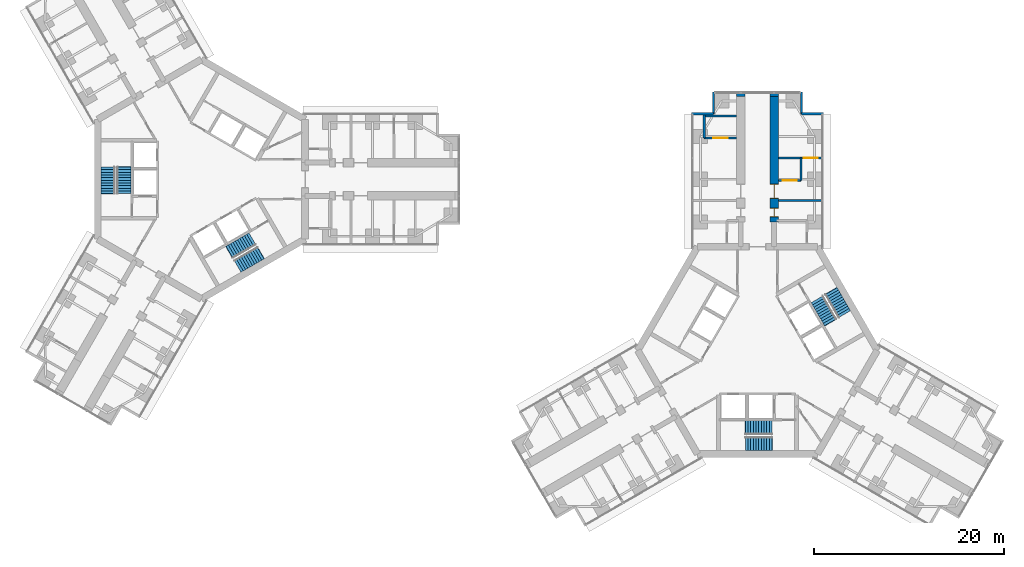
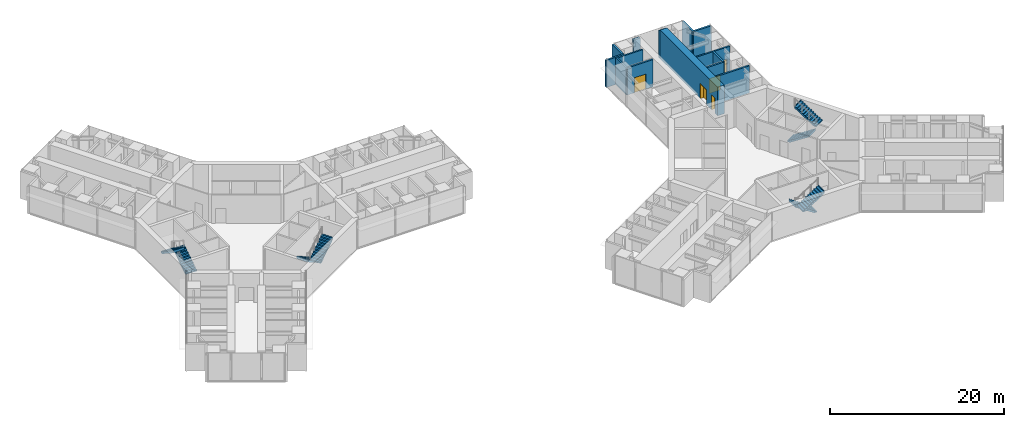
# One storey, part 21 of 22: 14 walls, 8 stair flights, 5 doors, 5 openings, 4 elements without a shape of their own.
"""IFC4 building model written with IfcOpenShell, lengths in metres."""

from ifc_helpers import new_model, si_unit, direction, frame, frame_2d, origin, place, context, subcontext, project, spatial, polyline, rectangle, outline, extrude, material, layer, layer_set, type_object, element, fill, aggregate, save


model = new_model("IFC4")

# Units and contexts
model_context = context("Model", 3, precision=1e-05, world=origin(), true_north=direction((0.0, 1.0)))
body_context = subcontext(model_context, "Body", "Model", "MODEL_VIEW")
ifc_project = project(units=[si_unit("LENGTHUNIT", "METRE"), si_unit("AREAUNIT", "SQUARE_METRE"), si_unit("VOLUMEUNIT", "CUBIC_METRE"), si_unit("PLANEANGLEUNIT", "RADIAN"), si_unit("MASSUNIT", "GRAM", prefix="KILO")], contexts=[model_context])

# Site, building, storey
site_placement = place(None, origin())
site = spatial("IfcSite", under=ifc_project, at=site_placement, CompositionType="ELEMENT")
building_placement = place(site_placement, origin())
building = spatial("IfcBuilding", under=site, at=building_placement, Name="Upepo Twin Towers", CompositionType="ELEMENT")
storey_placement = place(building_placement, frame((0.0, 0.0, 40.5)))
storey = spatial("IfcBuildingStorey", under=building, at=storey_placement, Name="L09", CompositionType="ELEMENT", Elevation=40.5)

# Wall
ifc_material_1 = material(Name="Concrete blockwork, plastered both faces", Category="masonry")
ifc_layer_1 = layer(ifc_material_1, 0.215087890625)
ifc_layer_set_1 = layer_set([ifc_layer_1], Name="Blockwork partition 215")
wall_type_1 = type_object("IfcWallType", Name="Blockwork partition 215", PredefinedType="PARTITIONING", material=ifc_layer_set_1)
wall_1_placement = place(storey_placement, frame((52.89990234375, 4.35009765625, 0.0), z_axis=(0.0, 0.0, 1.0), x_axis=(0.0, 1.0, 0.0)))
element("IfcWall", 1, at=wall_1_placement, inside=storey, type_object=wall_type_1, Name="T2 inner room partition AL at 22.35", PredefinedType="PARTITIONING", context=body_context, shape_type="SweptSolid", body=[
    extrude(rectangle(XDim=2.39990234375, YDim=0.215087890625, at=frame_2d((1.199951171875, 0.0))), origin(), (0.0, 0.0, 1.0), 3.800048828125),
])

# Wall, opening, door
wall_2_placement = place(storey_placement, frame((56.300048828125, 4.35009765625, 0.0), z_axis=(0.0, 0.0, 1.0), x_axis=(-1.0, 0.0, 0.0)))
wall_2 = element("IfcWall", 2, at=wall_2_placement, inside=storey, type_object=wall_type_1, Name="T2 inner room partition AL end at 22.35", PredefinedType="PARTITIONING", context=body_context, shape_type="SweptSolid", body=[
    extrude(rectangle(XDim=3.400146484375, YDim=0.215087890625, at=frame_2d((1.7001953125, 0.0))), origin(), (0.0, 0.0, 1.0), 3.800048828125),
])
opening_1_placement = place(wall_2_placement, frame((0.949951171875, 0.0, 0.0)))
opening_1 = element("IfcOpeningElement", 3, at=opening_1_placement, cuts=wall_2, Name="Opening D13", PredefinedType="OPENING", context=body_context, shape_type="SweptSolid", body=[
    extrude(rectangle(XDim=1.5, YDim=2.10009765625, at=frame_2d((0.75, 1.050048828125))), frame((0.0, 0.117431640625, 0.0), z_axis=(0.0, -1.0, 0.0), x_axis=(1.0, 0.0, 0.0)), (0.0, 0.0, 1.0), 0.235107421875),
])
ifc_material_2 = material(Name="Timber doorset", Category="wood")
door_type_1 = type_object("IfcDoorType", Name="Double door 1500 FD30", OperationType="DOUBLE_DOOR_SINGLE_SWING", PredefinedType="DOOR", material=ifc_material_2)
door_1_placement = place(opening_1_placement, origin())
door_1 = element("IfcDoor", 4, at=door_1_placement, inside=storey, type_object=door_type_1, Name="T2 L09 inner room door", OperationType="DOUBLE_DOOR_SINGLE_SWING", OverallHeight=2.10009765625, OverallWidth=1.5, PredefinedType="DOOR", context=body_context, shape_type="SweptSolid", body=[
    extrude(rectangle(XDim=1.5, YDim=2.10009765625, at=frame_2d((0.75, 1.050048828125))), frame((0.0, 0.02490234375, 0.0), z_axis=(0.0, -1.0, 0.0), x_axis=(1.0, 0.0, 0.0)), (0.0, 0.0, 1.0), 0.050048828125),
])
fill(opening_1, door_1)

# Walls
wall_3_placement = place(storey_placement, frame((56.300048828125, 6.642578125, 0.0), z_axis=(0.0, 0.0, 1.0), x_axis=(-1.0, 0.0, 0.0)))
element("IfcWall", 5, at=wall_3_placement, inside=storey, type_object=wall_type_1, Name="T2 inner room partition AL end at 24.75", PredefinedType="PARTITIONING", context=body_context, shape_type="SweptSolid", body=[
    extrude(rectangle(XDim=3.400146484375, YDim=0.215087890625, at=frame_2d((1.7001953125, 0.0))), origin(), (0.0, 0.0, 1.0), 3.800048828125),
])
wall_4_placement = place(storey_placement, frame((60.699951171875, -2.25, 0.0), z_axis=(0.0, 0.0, 1.0), x_axis=(1.0, 0.0, 0.0)))
element("IfcWall", 6, at=wall_4_placement, inside=storey, type_object=wall_type_1, Name="T2 partition AR at 15.75", PredefinedType="PARTITIONING", context=body_context, shape_type="SweptSolid", body=[
    extrude(rectangle(XDim=4.550048828125, YDim=0.215087890625, at=frame_2d((2.27490234375, 0.0))), origin(), (0.0, 0.0, 1.0), 3.800048828125),
])

# Wall, opening, door
wall_5_placement = place(storey_placement, frame((60.699951171875, 2.25, 0.0), z_axis=(0.0, 0.0, 1.0), x_axis=(1.0, 0.0, 0.0)))
wall_5 = element("IfcWall", 7, at=wall_5_placement, inside=storey, type_object=wall_type_1, Name="T2 partition AR at 20.25", PredefinedType="PARTITIONING", context=body_context, shape_type="SweptSolid", body=[
    extrude(rectangle(XDim=4.550048828125, YDim=0.215087890625, at=frame_2d((2.27490234375, 0.0))), origin(), (0.0, 0.0, 1.0), 3.800048828125),
])
opening_2_placement = place(wall_5_placement, frame((2.64990234375, 0.0, 0.0)))
opening_2 = element("IfcOpeningElement", 8, at=opening_2_placement, cuts=wall_5, Name="Opening D13", PredefinedType="OPENING", context=body_context, shape_type="SweptSolid", body=[
    extrude(rectangle(XDim=1.5, YDim=2.10009765625, at=frame_2d((0.75, 1.050048828125))), frame((0.0, 0.117431640625, 0.0), z_axis=(0.0, -1.0, 0.0), x_axis=(1.0, 0.0, 0.0)), (0.0, 0.0, 1.0), 0.235107421875),
])
door_2_placement = place(opening_2_placement, origin())
door_2 = element("IfcDoor", 9, at=door_2_placement, inside=storey, type_object=door_type_1, Name="T2 L09 connecting door", OperationType="DOUBLE_DOOR_SINGLE_SWING", OverallHeight=2.10009765625, OverallWidth=1.5, PredefinedType="DOOR", context=body_context, shape_type="SweptSolid", body=[
    extrude(rectangle(XDim=1.5, YDim=2.10009765625, at=frame_2d((0.75, 1.050048828125))), frame((0.0, 0.02490234375, 0.0), z_axis=(0.0, -1.0, 0.0), x_axis=(1.0, 0.0, 0.0)), (0.0, 0.0, 1.0), 0.050048828125),
])
fill(opening_2, door_2)

# Wall
wall_6_placement = place(storey_placement, frame((63.10009765625, -0.14990234375, 0.0), z_axis=(0.0, 0.0, 1.0), x_axis=(0.0, 1.0, 0.0)))
element("IfcWall", 10, at=wall_6_placement, inside=storey, type_object=wall_type_1, Name="T2 inner room partition AR at 17.85", PredefinedType="PARTITIONING", context=body_context, shape_type="SweptSolid", body=[
    extrude(rectangle(XDim=2.39990234375, YDim=0.215087890625, at=frame_2d((1.199951171875, 0.0))), origin(), (0.0, 0.0, 1.0), 3.800048828125),
])

# Wall, opening, door
wall_7_placement = place(storey_placement, frame((60.699951171875, -0.14990234375, 0.0), z_axis=(0.0, 0.0, 1.0), x_axis=(1.0, 0.0, 0.0)))
wall_7 = element("IfcWall", 11, at=wall_7_placement, inside=storey, type_object=wall_type_1, Name="T2 inner room partition AR end at 17.85", PredefinedType="PARTITIONING", context=body_context, shape_type="SweptSolid", body=[
    extrude(rectangle(XDim=2.400146484375, YDim=0.215087890625, at=frame_2d((1.2001953125, 0.0))), origin(), (0.0, 0.0, 1.0), 3.800048828125),
])
opening_3_placement = place(wall_7_placement, frame((0.449951171875, 0.0, 0.0)))
opening_3 = element("IfcOpeningElement", 12, at=opening_3_placement, cuts=wall_7, Name="Opening D13", PredefinedType="OPENING", context=body_context, shape_type="SweptSolid", body=[
    extrude(rectangle(XDim=1.5, YDim=2.10009765625, at=frame_2d((0.75, 1.050048828125))), frame((0.0, 0.117431640625, 0.0), z_axis=(0.0, -1.0, 0.0), x_axis=(1.0, 0.0, 0.0)), (0.0, 0.0, 1.0), 0.235107421875),
])
door_3_placement = place(opening_3_placement, origin())
door_3 = element("IfcDoor", 13, at=door_3_placement, inside=storey, type_object=door_type_1, Name="T2 L09 inner room door", OperationType="DOUBLE_DOOR_SINGLE_SWING", OverallHeight=2.10009765625, OverallWidth=1.5, PredefinedType="DOOR", context=body_context, shape_type="SweptSolid", body=[
    extrude(rectangle(XDim=1.5, YDim=2.10009765625, at=frame_2d((0.75, 1.050048828125))), frame((0.0, 0.02490234375, 0.0), z_axis=(0.0, -1.0, 0.0), x_axis=(1.0, 0.0, 0.0)), (0.0, 0.0, 1.0), 0.050048828125),
])
fill(opening_3, door_3)

# Walls
ifc_material_3 = material(Name="Dense concrete blockwork", Category="masonry")
ifc_layer_2 = layer(ifc_material_3, 0.89990234375)
ifc_layer_set_2 = layer_set([ifc_layer_2], Name="Buttress closer 900, blockwork with fire-stopping to the curtain wall")
wall_type_2 = type_object("IfcWallType", Name="Buttress closer 900, blockwork with fire-stopping to the curtain wall", PredefinedType="PARTITIONING", material=ifc_layer_set_2)
for number, where, z_axis, x_axis, name in (
    (14, (56.75, 8.699951171875, 0.0), (0.0, 0.0, 1.0), (0.0, 1.0, 0.0), "T2 L09 wing A buttress closer L"),
    (15, (60.25, 8.699951171875, 0.0), (0.0, 0.0, 1.0), (0.0, 1.0, 0.0), "T2 L09 wing A buttress closer R"),
):
    element("IfcWall", number, at=place(storey_placement, frame(where, z_axis=z_axis, x_axis=x_axis)), inside=storey, type_object=wall_type_2, Name=name, PredefinedType="PARTITIONING", context=body_context, shape_type="SweptSolid", body=[
        extrude(rectangle(XDim=0.31005859375, YDim=0.89990234375, at=frame_2d((0.155029296875, 0.0))), origin(), (0.0, 0.0, 1.0), 3.800048828125),
    ])

# Wall, openings, doors
ifc_material_4 = material(Name="Concrete C60/75", Category="concrete")
ifc_layer_3 = layer(ifc_material_4, 0.89990234375)
ifc_layer_set_3 = layer_set([ifc_layer_3], Name="Concrete C60/75")
wall_type_3 = type_object("IfcWallType", Name="Buttress wall 900 RC", PredefinedType="SHEAR", material=ifc_layer_set_3)
wall_8_placement = place(storey_placement, frame((60.25, -4.5, 0.0), z_axis=(0.0, 0.0, 1.0), x_axis=(0.0, 1.0, 0.0)))
wall_8 = element("IfcWall", 16, at=wall_8_placement, inside=storey, type_object=wall_type_3, Name="T2 wing A buttress wall R part 2", PredefinedType="SHEAR", context=body_context, shape_type="SweptSolid", body=[
    extrude(rectangle(XDim=13.199951171875, YDim=0.89990234375, at=frame_2d((6.60009765625, 0.0))), origin(), (0.0, 0.0, 1.0), 4.0),
])
opening_4_placement = place(wall_8_placement, frame((0.550048828125, 0.0, 0.0)))
opening_4 = element("IfcOpeningElement", 17, at=opening_4_placement, cuts=wall_8, Name="Opening D11", PredefinedType="OPENING", context=body_context, shape_type="SweptSolid", body=[
    extrude(rectangle(XDim=0.89990234375, YDim=2.10009765625, at=frame_2d((0.449951171875, 1.050048828125))), frame((0.0, 0.4599609375, 0.0), z_axis=(0.0, -1.0, 0.0), x_axis=(1.0, 0.0, 0.0)), (0.0, 0.0, 1.0), 0.919921875),
])
opening_5_placement = place(wall_8_placement, frame((2.5, 0.0, 0.0)))
opening_5 = element("IfcOpeningElement", 18, at=opening_5_placement, cuts=wall_8, Name="Opening D13", PredefinedType="OPENING", context=body_context, shape_type="SweptSolid", body=[
    extrude(rectangle(XDim=1.5, YDim=2.10009765625, at=frame_2d((0.75, 1.050048828125))), frame((0.0, 0.4599609375, 0.0), z_axis=(0.0, -1.0, 0.0), x_axis=(1.0, 0.0, 0.0)), (0.0, 0.0, 1.0), 0.919921875),
])
door_4_placement = place(opening_5_placement, origin())
door_4 = element("IfcDoor", 19, at=door_4_placement, inside=storey, type_object=door_type_1, Name="T2 L09 tutorial room door", OperationType="DOUBLE_DOOR_SINGLE_SWING", OverallHeight=2.10009765625, OverallWidth=1.5, PredefinedType="DOOR", context=body_context, shape_type="SweptSolid", body=[
    extrude(rectangle(XDim=1.42, YDim=2.06009765625, at=frame_2d((0.75, 1.030029296875))), frame((0.0, 0.02490234375, 0.0), z_axis=(0.0, -1.0, 0.0), x_axis=(1.0, 0.0, 0.0)), (0.0, 0.0, 1.0), 0.050048828125),
    extrude(rectangle(XDim=0.04, YDim=2.10009765625, at=frame_2d((0.02001953125, 1.050048828125))), frame((0.0, 0.44970703125, 0.0), z_axis=(0.0, -1.0, 0.0), x_axis=(1.0, 0.0, 0.0)), (0.0, 0.0, 1.0), 0.8994140625),
    extrude(rectangle(XDim=0.04, YDim=2.10009765625, at=frame_2d((1.47998046875, 1.050048828125))), frame((0.0, 0.44970703125, 0.0), z_axis=(0.0, -1.0, 0.0), x_axis=(1.0, 0.0, 0.0)), (0.0, 0.0, 1.0), 0.8994140625),
    extrude(rectangle(XDim=1.42, YDim=0.04, at=frame_2d((0.75, 2.080078125))), frame((0.0, 0.44970703125, 0.0), z_axis=(0.0, -1.0, 0.0), x_axis=(1.0, 0.0, 0.0)), (0.0, 0.0, 1.0), 0.8994140625),
])
fill(opening_5, door_4)
ifc_material_5 = material(Name="Timber doorset", Category="wood")
door_type_2 = type_object("IfcDoorType", Name="Toilet door 900", OperationType="SINGLE_SWING_LEFT", PredefinedType="DOOR", material=ifc_material_5)
door_5_placement = place(opening_4_placement, origin())
door_5 = element("IfcDoor", 20, at=door_5_placement, inside=storey, type_object=door_type_2, Name="T2 L09 accessible wc door", OperationType="SINGLE_SWING_LEFT", OverallHeight=2.10009765625, OverallWidth=0.89990234375, PredefinedType="DOOR", context=body_context, shape_type="SweptSolid", body=[
    extrude(rectangle(XDim=0.81990234375, YDim=2.06009765625, at=frame_2d((0.449951171875, 1.030029296875))), frame((0.0, 0.02490234375, 0.0), z_axis=(0.0, -1.0, 0.0), x_axis=(1.0, 0.0, 0.0)), (0.0, 0.0, 1.0), 0.050048828125),
    extrude(rectangle(XDim=0.04, YDim=2.10009765625, at=frame_2d((0.02001953125, 1.050048828125))), frame((0.0, 0.44970703125, 0.0), z_axis=(0.0, -1.0, 0.0), x_axis=(1.0, 0.0, 0.0)), (0.0, 0.0, 1.0), 0.8994140625),
    extrude(rectangle(XDim=0.04, YDim=2.10009765625, at=frame_2d((0.8798828125, 1.050048828125))), frame((0.0, 0.44970703125, 0.0), z_axis=(0.0, -1.0, 0.0), x_axis=(1.0, 0.0, 0.0)), (0.0, 0.0, 1.0), 0.8994140625),
    extrude(rectangle(XDim=0.81990234375, YDim=0.04, at=frame_2d((0.449951171875, 2.080078125))), frame((0.0, 0.44970703125, 0.0), z_axis=(0.0, -1.0, 0.0), x_axis=(1.0, 0.0, 0.0)), (0.0, 0.0, 1.0), 0.8994140625),
])
fill(opening_4, door_5)

# Walls
ifc_material_6 = material(Name="Blockwork with anodised aluminium cladding", Category="masonry")
ifc_layer_4 = layer(ifc_material_6, 0.25)
ifc_layer_set_4 = layer_set([ifc_layer_4], Name="Notch cladding wall 250, pale metal")
wall_type_4 = type_object("IfcWallType", Name="Notch cladding wall 250, pale metal", PredefinedType="STANDARD", material=ifc_layer_set_4)
for number, where, z_axis, x_axis, name in (
    (21, (51.550048828125, 6.875, 0.0), (0.0, 0.0, 1.0), (1.0, 0.0, 0.0), "T2 L09 wing A notch wall L1"),
    (22, (53.875, 6.875, 0.0), (0.0, 0.0, 1.0), (0.0, 1.0, 0.0), "T2 L09 wing A notch wall L2"),
    (23, (65.449951171875, 6.875, 0.0), (0.0, 0.0, 1.0), (-1.0, 0.0, 0.0), "T2 L09 wing A notch wall R1"),
    (24, (63.125, 6.875, 0.0), (0.0, 0.0, 1.0), (0.0, 1.0, 0.0), "T2 L09 wing A notch wall R2"),
):
    element("IfcWall", number, at=place(storey_placement, frame(where, z_axis=z_axis, x_axis=x_axis)), inside=storey, type_object=wall_type_4, Name=name, PredefinedType="STANDARD", context=body_context, shape_type="SweptSolid", body=[
        extrude(rectangle(XDim=2.324951171875, YDim=0.25, at=frame_2d((1.16259765625, 0.0))), origin(), (0.0, 0.0, 1.0), 3.800048828125),
    ])

# Stair, stair flights
ifc_material_7 = material(Name="Concrete C40/50", Category="concrete")
stair_type = type_object("IfcStairType", Name="Core stair, two flights", PredefinedType="HALF_TURN_STAIR", material=ifc_material_7)
stair_1_placement = place(storey_placement, origin())
stair_1 = element("IfcStair", 25, at=stair_1_placement, inside=storey, type_object=stair_type, Name="T1 stair S1 L09", PredefinedType="HALF_TURN_STAIR")
ifc_material_8 = material(Name="Concrete C40/50", Category="concrete")
stair_flight_type = type_object("IfcStairFlightType", Name="Stair flight 1450 RC", PredefinedType="STRAIGHT", material=ifc_material_8)
stair_flight_1_placement = place(storey_placement, frame((-8.125, -1.52001953125, 0.0), z_axis=(0.0, 0.0, 1.0), x_axis=(0.0, 1.0, 0.0)))
stair_flight_1 = element("IfcStairFlight", 26, at=stair_flight_1_placement, type_object=stair_flight_type, Name="Stair S1 flight 1", NumberOfRisers=11, NumberOfTreads=10, PredefinedType="STRAIGHT", RiserHeight=0.181818182, TreadLength=0.28, context=body_context, shape_type="SweptSolid", body=[
    extrude(outline(polyline([(0.0, 0.0), (0.0, 0.181884765625), (0.280029296875, 0.181884765625), (0.280029296875, 0.363525390625), (0.56005859375, 0.363525390625), (0.56005859375, 0.54541015625), (0.840087890625, 0.54541015625), (0.840087890625, 0.727294921875), (1.1201171875, 0.727294921875), (1.1201171875, 0.9091796875), (1.39990234375, 0.9091796875), (1.39990234375, 1.0908203125), (1.679931640625, 1.0908203125), (1.679931640625, 1.272705078125), (1.9599609375, 1.272705078125), (1.9599609375, 1.45458984375), (2.239990234375, 1.45458984375), (2.239990234375, 1.636474609375), (2.52001953125, 1.636474609375), (2.52001953125, 1.818115234375), (2.800048828125, 1.818115234375), (2.800048828125, 2.0), (2.85009765625, 2.0), (2.85009765625, 1.639404296875), (0.3251953125, 0.0), (0.0, 0.0)])), frame((0.0, 0.72509765625, 0.0), z_axis=(0.0, -1.0, 0.0), x_axis=(1.0, 0.0, 0.0)), (0.0, 0.0, 1.0), 1.449951171875),
])
stair_flight_2_placement = place(storey_placement, frame((-9.833251953125, 1.280029296875, 2.0), z_axis=(0.0, 0.0, 1.0), x_axis=(0.0, -1.0, 0.0)))
stair_flight_2 = element("IfcStairFlight", 27, at=stair_flight_2_placement, type_object=stair_flight_type, Name="Stair S1 flight 2", NumberOfRisers=11, NumberOfTreads=10, PredefinedType="STRAIGHT", RiserHeight=0.181818182, TreadLength=0.28, context=body_context, shape_type="SweptSolid", body=[
    extrude(outline(polyline([(0.0, 0.0), (0.0, 0.181884765625), (0.280029296875, 0.181884765625), (0.280029296875, 0.363525390625), (0.56005859375, 0.363525390625), (0.56005859375, 0.54541015625), (0.840087890625, 0.54541015625), (0.840087890625, 0.727294921875), (1.1201171875, 0.727294921875), (1.1201171875, 0.9091796875), (1.39990234375, 0.9091796875), (1.39990234375, 1.0908203125), (1.679931640625, 1.0908203125), (1.679931640625, 1.272705078125), (1.9599609375, 1.272705078125), (1.9599609375, 1.45458984375), (2.239990234375, 1.45458984375), (2.239990234375, 1.636474609375), (2.52001953125, 1.636474609375), (2.52001953125, 1.818115234375), (2.800048828125, 1.818115234375), (2.800048828125, 2.0), (2.85009765625, 2.0), (2.85009765625, 1.639404296875), (0.3251953125, 0.0), (0.0, 0.0)])), frame((0.0, 0.72509765625, 0.0), z_axis=(0.0, -1.0, 0.0), x_axis=(1.0, 0.0, 0.0)), (0.0, 0.0, 1.0), 1.449951171875),
])
aggregate(stair_1, [stair_flight_1, stair_flight_2])

stair_2_placement = place(storey_placement, origin())
stair_2 = element("IfcStair", 28, at=stair_2_placement, inside=storey, type_object=stair_type, Name="T1 stair S2 L09", PredefinedType="HALF_TURN_STAIR")
stair_flight_3_placement = place(storey_placement, frame((5.37890625, -6.2763671875, 0.0), z_axis=(0.0, 0.0, 1.0), x_axis=(-0.866025403784, -0.5, 0.0)))
stair_flight_3 = element("IfcStairFlight", 29, at=stair_flight_3_placement, type_object=stair_flight_type, Name="Stair S2 flight 1", NumberOfRisers=11, NumberOfTreads=10, PredefinedType="STRAIGHT", RiserHeight=0.181818182, TreadLength=0.28, context=body_context, shape_type="SweptSolid", body=[
    extrude(outline(polyline([(0.0, 0.0), (0.0, 0.181884765625), (0.280029296875, 0.181884765625), (0.280029296875, 0.363525390625), (0.56005859375, 0.363525390625), (0.56005859375, 0.54541015625), (0.840087890625, 0.54541015625), (0.840087890625, 0.727294921875), (1.1201171875, 0.727294921875), (1.1201171875, 0.9091796875), (1.39990234375, 0.9091796875), (1.39990234375, 1.0908203125), (1.679931640625, 1.0908203125), (1.679931640625, 1.272705078125), (1.9599609375, 1.272705078125), (1.9599609375, 1.45458984375), (2.239990234375, 1.45458984375), (2.239990234375, 1.636474609375), (2.52001953125, 1.636474609375), (2.52001953125, 1.818115234375), (2.800048828125, 1.818115234375), (2.800048828125, 2.0), (2.85009765625, 2.0), (2.85009765625, 1.639404296875), (0.3251953125, 0.0), (0.0, 0.0)])), frame((0.0, 0.72509765625, 0.0), z_axis=(0.0, -1.0, 0.0), x_axis=(1.0, 0.0, 0.0)), (0.0, 0.0, 1.0), 1.449951171875),
])
stair_flight_4_placement = place(storey_placement, frame((3.80810546875, -9.156005859375, 2.0), z_axis=(0.0, 0.0, 1.0), x_axis=(0.866025403784, 0.5, 0.0)))
stair_flight_4 = element("IfcStairFlight", 30, at=stair_flight_4_placement, type_object=stair_flight_type, Name="Stair S2 flight 2", NumberOfRisers=11, NumberOfTreads=10, PredefinedType="STRAIGHT", RiserHeight=0.181818182, TreadLength=0.28, context=body_context, shape_type="SweptSolid", body=[
    extrude(outline(polyline([(0.0, 0.0), (0.0, 0.181884765625), (0.280029296875, 0.181884765625), (0.280029296875, 0.363525390625), (0.56005859375, 0.363525390625), (0.56005859375, 0.54541015625), (0.840087890625, 0.54541015625), (0.840087890625, 0.727294921875), (1.1201171875, 0.727294921875), (1.1201171875, 0.9091796875), (1.39990234375, 0.9091796875), (1.39990234375, 1.0908203125), (1.679931640625, 1.0908203125), (1.679931640625, 1.272705078125), (1.9599609375, 1.272705078125), (1.9599609375, 1.45458984375), (2.239990234375, 1.45458984375), (2.239990234375, 1.636474609375), (2.52001953125, 1.636474609375), (2.52001953125, 1.818115234375), (2.800048828125, 1.818115234375), (2.800048828125, 2.0), (2.85009765625, 2.0), (2.85009765625, 1.639404296875), (0.3251953125, 0.0), (0.0, 0.0)])), frame((0.0, 0.72509765625, 0.0), z_axis=(0.0, -1.0, 0.0), x_axis=(1.0, 0.0, 0.0)), (0.0, 0.0, 1.0), 1.449951171875),
])
aggregate(stair_2, [stair_flight_3, stair_flight_4])

stair_3_placement = place(storey_placement, origin())
stair_3 = element("IfcStair", 31, at=stair_3_placement, inside=storey, type_object=stair_type, Name="T2 stair S1 L09", PredefinedType="HALF_TURN_STAIR")
stair_flight_5_placement = place(storey_placement, frame((60.02001953125, -26.125, 0.0), z_axis=(0.0, 0.0, 1.0), x_axis=(-1.0, 0.0, 0.0)))
stair_flight_5 = element("IfcStairFlight", 32, at=stair_flight_5_placement, type_object=stair_flight_type, Name="Stair S1 flight 1", NumberOfRisers=11, NumberOfTreads=10, PredefinedType="STRAIGHT", RiserHeight=0.181818182, TreadLength=0.28, context=body_context, shape_type="SweptSolid", body=[
    extrude(outline(polyline([(0.0, 0.0), (0.0, 0.181884765625), (0.280029296875, 0.181884765625), (0.280029296875, 0.363525390625), (0.56005859375, 0.363525390625), (0.56005859375, 0.54541015625), (0.840087890625, 0.54541015625), (0.840087890625, 0.727294921875), (1.1201171875, 0.727294921875), (1.1201171875, 0.9091796875), (1.39990234375, 0.9091796875), (1.39990234375, 1.0908203125), (1.679931640625, 1.0908203125), (1.679931640625, 1.272705078125), (1.9599609375, 1.272705078125), (1.9599609375, 1.45458984375), (2.239990234375, 1.45458984375), (2.239990234375, 1.636474609375), (2.52001953125, 1.636474609375), (2.52001953125, 1.818115234375), (2.800048828125, 1.818115234375), (2.800048828125, 2.0), (2.85009765625, 2.0), (2.85009765625, 1.639404296875), (0.3251953125, 0.0), (0.0, 0.0)])), frame((0.0, 0.72509765625, 0.0), z_axis=(0.0, -1.0, 0.0), x_axis=(1.0, 0.0, 0.0)), (0.0, 0.0, 1.0), 1.449951171875),
])
stair_flight_6_placement = place(storey_placement, frame((57.219970703125, -27.833251953125, 2.0), z_axis=(0.0, 0.0, 1.0), x_axis=(1.0, 0.0, 0.0)))
stair_flight_6 = element("IfcStairFlight", 33, at=stair_flight_6_placement, type_object=stair_flight_type, Name="Stair S1 flight 2", NumberOfRisers=11, NumberOfTreads=10, PredefinedType="STRAIGHT", RiserHeight=0.181818182, TreadLength=0.28, context=body_context, shape_type="SweptSolid", body=[
    extrude(outline(polyline([(0.0, 0.0), (0.0, 0.181884765625), (0.280029296875, 0.181884765625), (0.280029296875, 0.363525390625), (0.56005859375, 0.363525390625), (0.56005859375, 0.54541015625), (0.840087890625, 0.54541015625), (0.840087890625, 0.727294921875), (1.1201171875, 0.727294921875), (1.1201171875, 0.9091796875), (1.39990234375, 0.9091796875), (1.39990234375, 1.0908203125), (1.679931640625, 1.0908203125), (1.679931640625, 1.272705078125), (1.9599609375, 1.272705078125), (1.9599609375, 1.45458984375), (2.239990234375, 1.45458984375), (2.239990234375, 1.636474609375), (2.52001953125, 1.636474609375), (2.52001953125, 1.818115234375), (2.800048828125, 1.818115234375), (2.800048828125, 2.0), (2.85009765625, 2.0), (2.85009765625, 1.639404296875), (0.3251953125, 0.0), (0.0, 0.0)])), frame((0.0, 0.72509765625, 0.0), z_axis=(0.0, -1.0, 0.0), x_axis=(1.0, 0.0, 0.0)), (0.0, 0.0, 1.0), 1.449951171875),
])
aggregate(stair_3, [stair_flight_5, stair_flight_6])

stair_4_placement = place(storey_placement, origin())
stair_4 = element("IfcStair", 34, at=stair_4_placement, inside=storey, type_object=stair_type, Name="T2 stair S2 L09", PredefinedType="HALF_TURN_STAIR")
stair_flight_7_placement = place(storey_placement, frame((64.7763671875, -12.62109375, 0.0), z_axis=(0.0, 0.0, 1.0), x_axis=(0.5, -0.866025403784, 0.0)))
stair_flight_7 = element("IfcStairFlight", 35, at=stair_flight_7_placement, type_object=stair_flight_type, Name="Stair S2 flight 1", NumberOfRisers=11, NumberOfTreads=10, PredefinedType="STRAIGHT", RiserHeight=0.181818182, TreadLength=0.28, context=body_context, shape_type="SweptSolid", body=[
    extrude(outline(polyline([(0.0, 0.0), (0.0, 0.181884765625), (0.280029296875, 0.181884765625), (0.280029296875, 0.363525390625), (0.56005859375, 0.363525390625), (0.56005859375, 0.54541015625), (0.840087890625, 0.54541015625), (0.840087890625, 0.727294921875), (1.1201171875, 0.727294921875), (1.1201171875, 0.9091796875), (1.39990234375, 0.9091796875), (1.39990234375, 1.0908203125), (1.679931640625, 1.0908203125), (1.679931640625, 1.272705078125), (1.9599609375, 1.272705078125), (1.9599609375, 1.45458984375), (2.239990234375, 1.45458984375), (2.239990234375, 1.636474609375), (2.52001953125, 1.636474609375), (2.52001953125, 1.818115234375), (2.800048828125, 1.818115234375), (2.800048828125, 2.0), (2.85009765625, 2.0), (2.85009765625, 1.639404296875), (0.3251953125, 0.0), (0.0, 0.0)])), frame((0.0, 0.72509765625, 0.0), z_axis=(0.0, -1.0, 0.0), x_axis=(1.0, 0.0, 0.0)), (0.0, 0.0, 1.0), 1.449951171875),
])
stair_flight_8_placement = place(storey_placement, frame((67.656005859375, -14.19189453125, 2.0), z_axis=(0.0, 0.0, 1.0), x_axis=(-0.5, 0.866025403784, 0.0)))
stair_flight_8 = element("IfcStairFlight", 36, at=stair_flight_8_placement, type_object=stair_flight_type, Name="Stair S2 flight 2", NumberOfRisers=11, NumberOfTreads=10, PredefinedType="STRAIGHT", RiserHeight=0.181818182, TreadLength=0.28, context=body_context, shape_type="SweptSolid", body=[
    extrude(outline(polyline([(0.0, 0.0), (0.0, 0.181884765625), (0.280029296875, 0.181884765625), (0.280029296875, 0.363525390625), (0.56005859375, 0.363525390625), (0.56005859375, 0.54541015625), (0.840087890625, 0.54541015625), (0.840087890625, 0.727294921875), (1.1201171875, 0.727294921875), (1.1201171875, 0.9091796875), (1.39990234375, 0.9091796875), (1.39990234375, 1.0908203125), (1.679931640625, 1.0908203125), (1.679931640625, 1.272705078125), (1.9599609375, 1.272705078125), (1.9599609375, 1.45458984375), (2.239990234375, 1.45458984375), (2.239990234375, 1.636474609375), (2.52001953125, 1.636474609375), (2.52001953125, 1.818115234375), (2.800048828125, 1.818115234375), (2.800048828125, 2.0), (2.85009765625, 2.0), (2.85009765625, 1.639404296875), (0.3251953125, 0.0), (0.0, 0.0)])), frame((0.0, 0.72509765625, 0.0), z_axis=(0.0, -1.0, 0.0), x_axis=(1.0, 0.0, 0.0)), (0.0, 0.0, 1.0), 1.449951171875),
])
aggregate(stair_4, [stair_flight_7, stair_flight_8])

save(model, "model.ifc")
